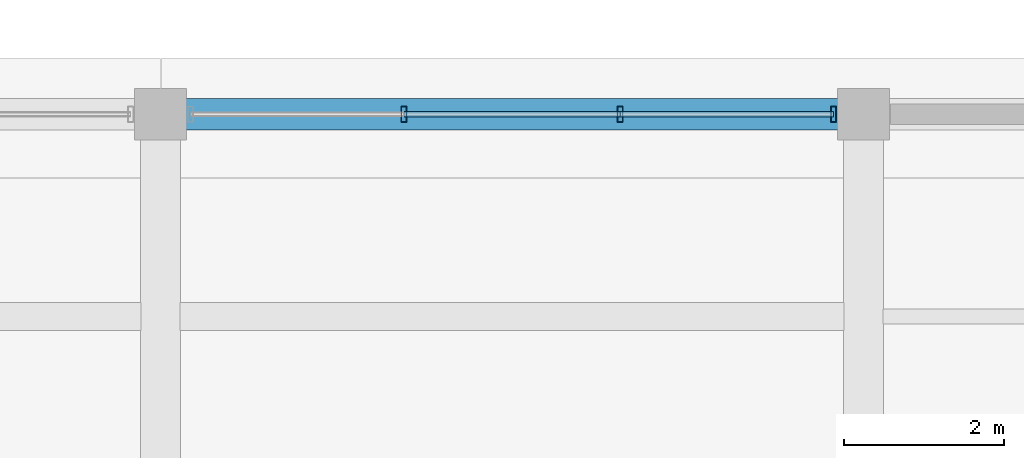
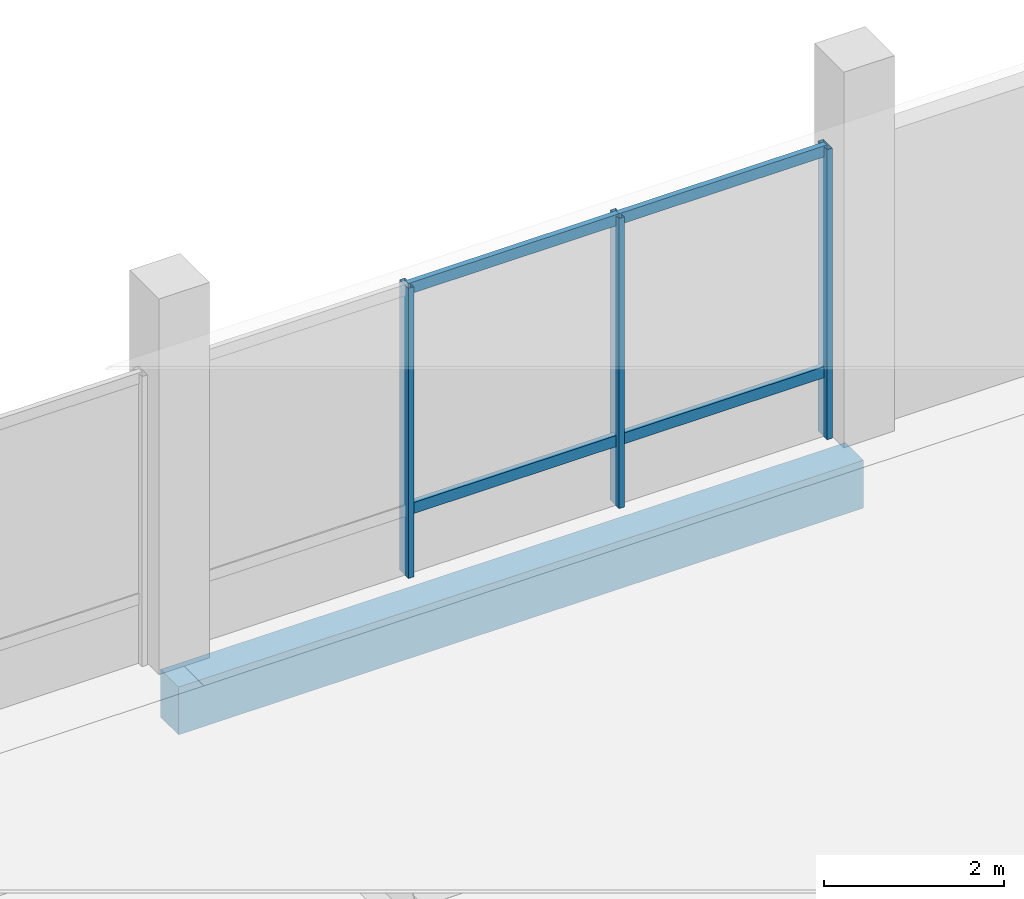
# One storey, part 39 of 73: 7 members, 1 beam, 1 element without a shape of its own.
"""IFC4 building model written with IfcOpenShell, lengths in metres."""

from ifc_helpers import new_model, si_unit, direction, frame, origin, origin_2d, place, context, subcontext, project, spatial, rectangle, hollow_rectangle, extrude, material, layer, layer_set, material_profile, profile_set, type_object, element, aggregate, save


model = new_model("IFC4")

# Units and contexts
model_context = context("Model", 3, precision=1e-05, world=origin(), true_north=direction((0.0, 1.0)))
body_context = subcontext(model_context, "Body", "Model", "MODEL_VIEW")
ifc_project = project(units=[si_unit("LENGTHUNIT", "METRE"), si_unit("AREAUNIT", "SQUARE_METRE"), si_unit("VOLUMEUNIT", "CUBIC_METRE"), si_unit("PLANEANGLEUNIT", "RADIAN"), si_unit("MASSUNIT", "GRAM", prefix="KILO")], contexts=[model_context])

# Site, building, storey
site_placement = place(None, origin())
site = spatial("IfcSite", under=ifc_project, at=site_placement, CompositionType="ELEMENT")
building_placement = place(site_placement, origin())
building = spatial("IfcBuilding", under=site, at=building_placement, Name="Meriwether Solvik Hall", CompositionType="ELEMENT")
storey_placement = place(building_placement, origin())
storey = spatial("IfcBuildingStorey", under=building, at=storey_placement, Name="L00", CompositionType="ELEMENT", Elevation=0.0)

# Beam
ifc_material_1 = material(Name="Concrete C40/50", Category="concrete")
ifc_material_profile_1 = material_profile(ifc_material_1, rectangle(XDim=0.39990234375, YDim=0.64990234375, at=origin_2d()), Name="RCB-400X650")
ifc_profile_set_1 = profile_set([ifc_material_profile_1], Name="Concrete C40/50")
beam_type = type_object("IfcBeamType", Name="BM-RC-400X650", PredefinedType="SPANDREL", material=ifc_profile_set_1)
beam_placement = place(storey_placement, frame((114.199951171875, 116.800048828125, -0.68505859375), z_axis=(1.0, 0.0, 0.0), x_axis=(0.0, 1.0, 0.0)))
element("IfcBeam", 1, at=beam_placement, inside=storey, type_object=beam_type, Name="Podium Girder N:13-14 (L00)", PredefinedType="SPANDREL", context=body_context, shape_type="SweptSolid", body=[
    extrude(rectangle(XDim=0.39990234375, YDim=0.64990234375, at=origin_2d()), origin(), (0.0, 0.0, 1.0), 8.800048828125),
])

# Curtain wall, members
ifc_material_2 = material(Name="Thermally Broken Anodised Aluminium 6063-T6 and Low-E Glass", Category="aluminium")
ifc_layer = layer(ifc_material_2, 0.179931640625)
ifc_layer_set = layer_set([ifc_layer], Name="Thermally Broken Anodised Aluminium 6063-T6 and Low-E Glass")
curtain_wall_type = type_object("IfcCurtainWallType", Name="CW-SF-POD-A", PredefinedType="USERDEFINED", material=ifc_layer_set)
curtain_wall_placement = place(storey_placement, origin())
curtain_wall = element("IfcCurtainWall", 2, at=curtain_wall_placement, inside=storey, type_object=curtain_wall_type, Name="Curtain Wall wing_XN_13_30 (L00)", ObjectType="STICK STOREFRONT GLAZING", PredefinedType="USERDEFINED")
ifc_material_3 = material(Name="Anodised Aluminium 6063-T6", Category="aluminium")
ifc_material_profile_2 = material_profile(ifc_material_3, hollow_rectangle(XDim=0.070068359375, YDim=0.199951171875, WallThickness=0.0048828125, at=origin_2d()), Name="CWM-70X200")
ifc_profile_set_2 = profile_set([ifc_material_profile_2], Name="Anodised Aluminium 6063-T6")
member_type_1 = type_object("IfcMemberType", Name="CW-MUL-70X200", PredefinedType="MULLION", material=ifc_profile_set_2)
member_1_placement = place(storey_placement, frame((117.24560546875, 116.800048828125, 0.0), z_axis=(0.0, 0.0, 1.0), x_axis=(1.0, 0.0, 0.0)))
member_1 = element("IfcMember", 3, at=member_1_placement, type_object=member_type_1, Name="Curtain Wall Mullion 2", PredefinedType="MULLION", context=body_context, shape_type="SweptSolid", body=[
    extrude(hollow_rectangle(XDim=0.070068359375, YDim=0.199951171875, WallThickness=0.0048828125, at=origin_2d()), origin(), (0.0, 0.0, 1.0), 3.93994140625),
])
member_2_placement = place(storey_placement, frame((119.954345703125, 116.800048828125, 0.0), z_axis=(0.0, 0.0, 1.0), x_axis=(1.0, 0.0, 0.0)))
member_2 = element("IfcMember", 4, at=member_2_placement, type_object=member_type_1, Name="Curtain Wall Mullion 3", PredefinedType="MULLION", context=body_context, shape_type="SweptSolid", body=[
    extrude(hollow_rectangle(XDim=0.070068359375, YDim=0.199951171875, WallThickness=0.0048828125, at=origin_2d()), origin(), (0.0, 0.0, 1.0), 3.93994140625),
])
member_3_placement = place(storey_placement, frame((122.625, 116.800048828125, 0.0), z_axis=(0.0, 0.0, 1.0), x_axis=(1.0, 0.0, 0.0)))
member_3 = element("IfcMember", 5, at=member_3_placement, type_object=member_type_1, Name="Curtain Wall Mullion 4", PredefinedType="MULLION", context=body_context, shape_type="SweptSolid", body=[
    extrude(hollow_rectangle(XDim=0.070068359375, YDim=0.199951171875, WallThickness=0.0048828125, at=origin_2d()), origin(), (0.0, 0.0, 1.0), 3.93994140625),
])
ifc_material_4 = material(Name="Anodised Aluminium 6063-T6", Category="aluminium")
ifc_material_profile_3 = material_profile(ifc_material_4, hollow_rectangle(XDim=0.070068359375, YDim=0.14990234375, WallThickness=0.0048828125, at=origin_2d()), Name="CWT-70X150")
ifc_profile_set_3 = profile_set([ifc_material_profile_3], Name="Anodised Aluminium 6063-T6")
member_type_2 = type_object("IfcMemberType", Name="CW-TRN-70X150", PredefinedType="USERDEFINED", material=ifc_profile_set_3)
member_4_placement = place(storey_placement, frame((117.24560546875, 116.800048828125, 0.8798828125), z_axis=(1.0, 0.0, 0.0), x_axis=(0.0, 1.0, 0.0)))
member_4 = element("IfcMember", 6, at=member_4_placement, type_object=member_type_2, Name="Curtain Wall Transom 2-sill", ObjectType="TRANSOM", PredefinedType="USERDEFINED", context=body_context, shape_type="SweptSolid", body=[
    extrude(hollow_rectangle(XDim=0.070068359375, YDim=0.14990234375, WallThickness=0.0048828125, at=origin_2d()), origin(), (0.0, 0.0, 1.0), 2.708740234375),
])
member_5_placement = place(storey_placement, frame((117.24560546875, 116.800048828125, 3.8798828125), z_axis=(1.0, 0.0, 0.0), x_axis=(0.0, 1.0, 0.0)))
member_5 = element("IfcMember", 7, at=member_5_placement, type_object=member_type_2, Name="Curtain Wall Transom 2-head", ObjectType="TRANSOM", PredefinedType="USERDEFINED", context=body_context, shape_type="SweptSolid", body=[
    extrude(hollow_rectangle(XDim=0.070068359375, YDim=0.14990234375, WallThickness=0.0048828125, at=origin_2d()), origin(), (0.0, 0.0, 1.0), 2.708740234375),
])
member_6_placement = place(storey_placement, frame((119.954345703125, 116.800048828125, 0.8798828125), z_axis=(1.0, 0.0, 0.0), x_axis=(0.0, 1.0, 0.0)))
member_6 = element("IfcMember", 8, at=member_6_placement, type_object=member_type_2, Name="Curtain Wall Transom 3-sill", ObjectType="TRANSOM", PredefinedType="USERDEFINED", context=body_context, shape_type="SweptSolid", body=[
    extrude(hollow_rectangle(XDim=0.070068359375, YDim=0.14990234375, WallThickness=0.0048828125, at=origin_2d()), origin(), (0.0, 0.0, 1.0), 2.670654296875),
])
member_7_placement = place(storey_placement, frame((119.954345703125, 116.800048828125, 3.8798828125), z_axis=(1.0, 0.0, 0.0), x_axis=(0.0, 1.0, 0.0)))
member_7 = element("IfcMember", 9, at=member_7_placement, type_object=member_type_2, Name="Curtain Wall Transom 3-head", ObjectType="TRANSOM", PredefinedType="USERDEFINED", context=body_context, shape_type="SweptSolid", body=[
    extrude(hollow_rectangle(XDim=0.070068359375, YDim=0.14990234375, WallThickness=0.0048828125, at=origin_2d()), origin(), (0.0, 0.0, 1.0), 2.670654296875),
])
aggregate(curtain_wall, [member_1, member_2, member_3, member_4, member_5, member_6, member_7])

save(model, "model.ifc")
